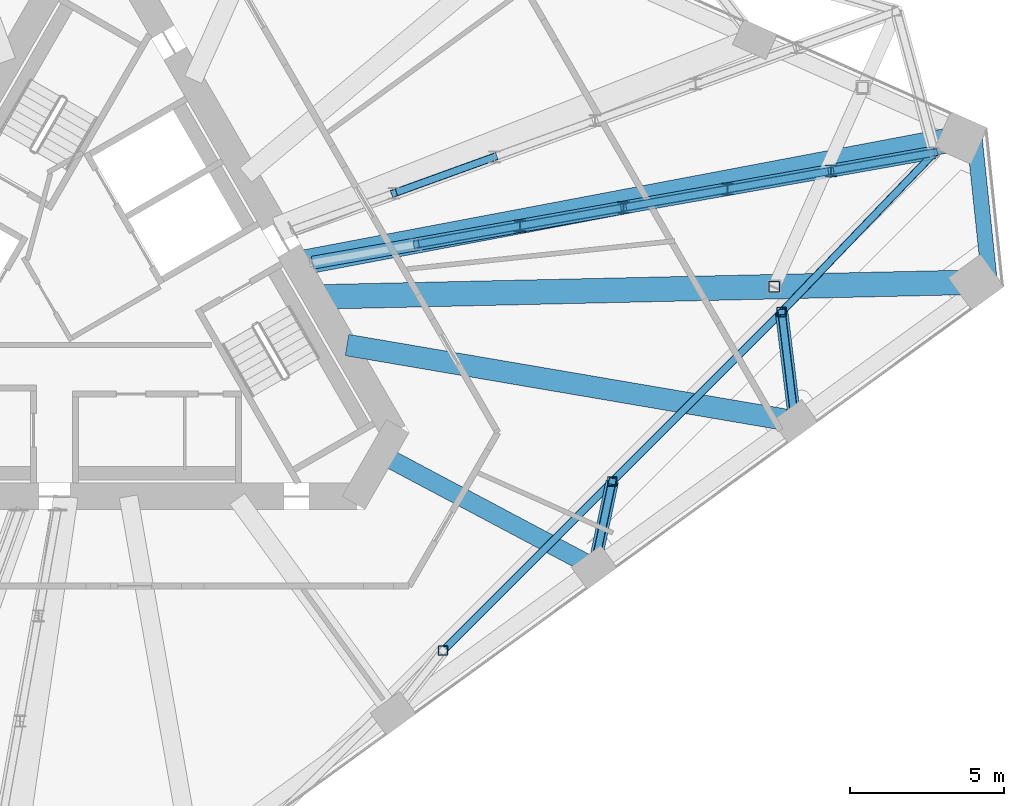
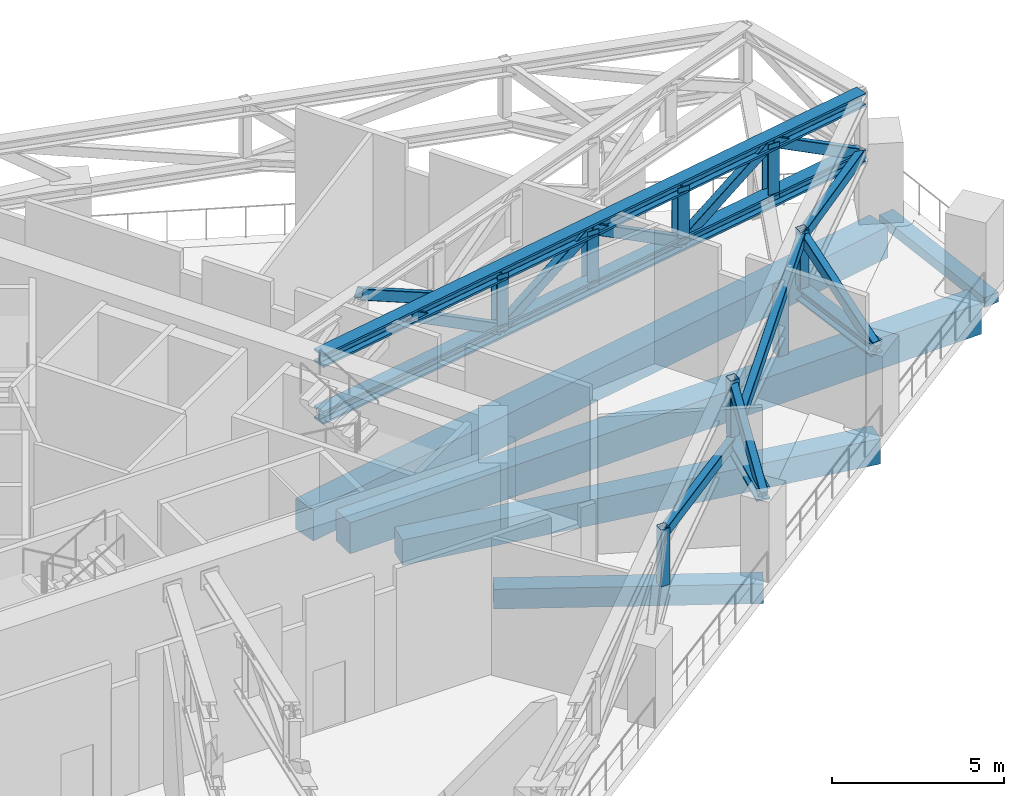
# One storey, part 8 of 26: 23 members, 5 beams.
"""IFC4 building model written with IfcOpenShell, lengths in metres."""

from ifc_helpers import new_model, si_unit, direction, frame, origin, origin_2d, place, context, subcontext, project, spatial, rectangle, hollow_rectangle, i_section, extrude, material, material_profile, profile_set, type_object, element, save


model = new_model("IFC4")

# Units and contexts
model_context = context("Model", 3, precision=1e-05, world=origin(), true_north=direction((0.0, 1.0)))
body_context = subcontext(model_context, "Body", "Model", "MODEL_VIEW")
ifc_project = project(units=[si_unit("LENGTHUNIT", "METRE"), si_unit("AREAUNIT", "SQUARE_METRE"), si_unit("VOLUMEUNIT", "CUBIC_METRE"), si_unit("PLANEANGLEUNIT", "RADIAN"), si_unit("MASSUNIT", "GRAM", prefix="KILO")], contexts=[model_context])

# Site, building, storey
site_placement = place(None, origin())
site = spatial("IfcSite", under=ifc_project, at=site_placement, CompositionType="ELEMENT")
building_placement = place(site_placement, origin())
building = spatial("IfcBuilding", under=site, at=building_placement, Name="Tramontana Tower", CompositionType="ELEMENT")
storey_placement = place(building_placement, frame((0.0, 0.0, 194.800048828125)))
storey = spatial("IfcBuildingStorey", under=building, at=storey_placement, Name="L45", CompositionType="ELEMENT", Elevation=194.800048828125)

# Members
ifc_material_1 = material(Name="Steel ASTM A500 Grade C", Category="steel")
ifc_material_profile_1 = material_profile(ifc_material_1, hollow_rectangle(XDim=0.3046875, YDim=0.3046875, WallThickness=0.01171875, InnerFilletRadius=0.01171875, OuterFilletRadius=0.023681640625, at=origin_2d()), Name="HSS12X12X1/2")
ifc_profile_set_1 = profile_set([ifc_material_profile_1], Name="Steel ASTM A500 Grade C")
member_type_1 = type_object("IfcMemberType", Name="Belt truss HSS12X12X1/2 post", PredefinedType="POST", material=ifc_profile_set_1)
for number, where, z_axis, x_axis, name in (
    (1, (11.34912109375, -11.34912109375, 2.8349609375), (0.0, 0.0, 1.0), (1.0, 0.0, 0.0), "Belt truss post C5F08"),
    (2, (16.8603515625, -5.837646484375, 2.8349609375), (0.0, 0.0, 1.0), (1.0, 0.0, 0.0), "Belt truss post C5F09"),
    (3, (22.371826171875, -0.326416015625, 2.8349609375), (0.0, 0.0, 1.0), (1.0, 0.0, 0.0), "Belt truss post C5F10"),
):
    element("IfcMember", number, at=place(storey_placement, frame(where, z_axis=z_axis, x_axis=x_axis)), inside=storey, type_object=member_type_1, Name=name, PredefinedType="POST", context=body_context, shape_type="SweptSolid", body=[
        extrude(hollow_rectangle(XDim=0.3046875, YDim=0.3046875, WallThickness=0.01171875, InnerFilletRadius=0.01171875, OuterFilletRadius=0.023681640625, at=origin_2d()), origin(), (0.0, 0.0, 1.0), 2.014892578125),
    ])
ifc_material_2 = material(Name="Steel ASTM A500 Grade C", Category="steel")
ifc_material_profile_2 = material_profile(ifc_material_2, hollow_rectangle(XDim=0.25390625, YDim=0.355712890625, WallThickness=0.01171875, InnerFilletRadius=0.01171875, OuterFilletRadius=0.023681640625, at=origin_2d()), Name="HSS14X10X1/2")
ifc_profile_set_2 = profile_set([ifc_material_profile_2], Name="Steel ASTM A500 Grade C")
member_type_2 = type_object("IfcMemberType", Name="Belt truss HSS14X10X1/2 brace", PredefinedType="BRACE", material=ifc_profile_set_2)
for number, where, z_axis, x_axis, name in (
    (4, (11.34912109375, -11.34912109375, 4.632568359375), (0.684581117967, 0.684611444055, -0.250311533078), (-0.70712244264, 0.707091119386, 0.0), "Belt truss diagonal S1.4"),
    (5, (16.8603515625, -5.837646484375, 2.617431640625), (0.684611444055, 0.684581117967, 0.250311533078), (-0.707091119386, 0.70712244264, 0.0), "Belt truss diagonal S1.5"),
):
    element("IfcMember", number, at=place(storey_placement, frame(where, z_axis=z_axis, x_axis=x_axis)), inside=storey, type_object=member_type_2, Name=name, PredefinedType="BRACE", context=body_context, shape_type="SweptSolid", body=[
        extrude(hollow_rectangle(XDim=0.25390625, YDim=0.355712890625, WallThickness=0.01171875, InnerFilletRadius=0.01171875, OuterFilletRadius=0.023681640625, at=origin_2d()), origin(), (0.0, 0.0, 1.0), 8.050537109375),
    ])
member_1_placement = place(storey_placement, frame((22.371826171875, -0.326416015625, 4.632568359375), z_axis=(0.666566337346, 0.69495797283, -0.269671529676), x_axis=(-0.721695064868, 0.692211119056, 0.0)))
element("IfcMember", 6, at=member_1_placement, inside=storey, type_object=member_type_2, Name="Belt truss diagonal S1.6", PredefinedType="BRACE", context=body_context, shape_type="SweptSolid", body=[
    extrude(hollow_rectangle(XDim=0.25390625, YDim=0.355712890625, WallThickness=0.01171875, InnerFilletRadius=0.01171875, OuterFilletRadius=0.023681640625, at=origin_2d()), origin(), (0.0, 0.0, 1.0), 7.47265625),
])

# Beams
ifc_material_3 = material(Name="Concrete 40 MPa", Category="concrete")
ifc_material_profile_3 = material_profile(ifc_material_3, rectangle(XDim=0.5, YDim=0.35009765625, at=origin_2d()), Name="RC EDGE BEAM 500X350 40 MPa")
ifc_profile_set_3 = profile_set([ifc_material_profile_3], Name="Concrete 40 MPa")
beam_type_1 = type_object("IfcBeamType", Name="RC EDGE BEAM 500X350 40 MPa", PredefinedType="SPANDREL", material=ifc_profile_set_3)
beam_1_placement = place(storey_placement, frame((29.162353515625, 0.45263671875, -0.525146484375), z_axis=(-0.104494011766, 0.994525515764, 0.0), x_axis=(-0.994525515764, -0.104494011766, 0.0)))
element("IfcBeam", 7, at=beam_1_placement, inside=storey, type_object=beam_type_1, Name="Spandrel beam K2 L45", PredefinedType="SPANDREL", context=body_context, shape_type="SweptSolid", body=[
    extrude(rectangle(XDim=0.5, YDim=0.35009765625, at=origin_2d()), origin(), (0.0, 0.0, 1.0), 5.1962890625),
])
ifc_material_4 = material(Name="Concrete 40 MPa", Category="concrete")
ifc_material_profile_4 = material_profile(ifc_material_4, rectangle(XDim=0.60009765625, YDim=0.699951171875, at=origin_2d()), Name="RC GIRDER 600X700 40 MPa")
ifc_profile_set_4 = profile_set([ifc_material_profile_4], Name="Concrete 40 MPa")
beam_type_2 = type_object("IfcBeamType", Name="RC GIRDER 600X700 40 MPa", PredefinedType="BEAM", material=ifc_profile_set_4)
beam_2_placement = place(storey_placement, frame((16.26708984375, -8.63818359375, -0.699951171875), z_axis=(-0.883198396805, 0.468999564905, 0.0), x_axis=(-0.468999564905, -0.883198396805, 0.0)))
element("IfcBeam", 8, at=beam_2_placement, inside=storey, type_object=beam_type_2, Name="Radial girder C4F09 L45", PredefinedType="BEAM", context=body_context, shape_type="SweptSolid", body=[
    extrude(rectangle(XDim=0.60009765625, YDim=0.699951171875, at=origin_2d()), origin(), (0.0, 0.0, 1.0), 7.83642578125),
])
ifc_material_5 = material(Name="Concrete 40 MPa", Category="concrete")
ifc_material_profile_5 = material_profile(ifc_material_5, rectangle(XDim=0.699951171875, YDim=0.89990234375, at=origin_2d()), Name="RC GIRDER 700X900 40 MPa")
ifc_profile_set_5 = profile_set([ifc_material_profile_5], Name="Concrete 40 MPa")
beam_type_3 = type_object("IfcBeamType", Name="RC GIRDER 700X900 40 MPa", PredefinedType="BEAM", material=ifc_profile_set_5)
beam_3_placement = place(storey_placement, frame((22.806396484375, -3.88720703125, -0.800048828125), z_axis=(-0.985783673381, 0.168019490821, 0.0), x_axis=(-0.168019490821, -0.985783673381, 0.0)))
element("IfcBeam", 9, at=beam_3_placement, inside=storey, type_object=beam_type_3, Name="Radial girder C4F10 L45", PredefinedType="BEAM", context=body_context, shape_type="SweptSolid", body=[
    extrude(rectangle(XDim=0.699951171875, YDim=0.89990234375, at=origin_2d()), origin(), (0.0, 0.0, 1.0), 14.79052734375),
])
ifc_material_6 = material(Name="Concrete 40 MPa", Category="concrete")
ifc_material_profile_6 = material_profile(ifc_material_6, rectangle(XDim=0.800048828125, YDim=1.10009765625, at=origin_2d()), Name="RC GIRDER 800X1100 40 MPa")
ifc_profile_set_6 = profile_set([ifc_material_profile_6], Name="Concrete 40 MPa")
beam_type_4 = type_object("IfcBeamType", Name="RC GIRDER 800X1100 40 MPa", PredefinedType="BEAM", material=ifc_profile_set_6)
beam_4_placement = place(storey_placement, frame((28.701904296875, 0.6435546875, -0.900146484375), z_axis=(-0.999748807881, -0.022412521973, 0.0), x_axis=(0.022412521973, -0.999748807881, 0.0)))
element("IfcBeam", 10, at=beam_4_placement, inside=storey, type_object=beam_type_4, Name="Radial girder C4K4 L45", PredefinedType="BEAM", context=body_context, shape_type="SweptSolid", body=[
    extrude(rectangle(XDim=0.800048828125, YDim=1.10009765625, at=origin_2d()), origin(), (0.0, 0.0, 1.0), 21.4375),
])
beam_5_placement = place(storey_placement, frame((28.20849609375, 5.337890625, -0.900146484375), z_axis=(-0.982562021037, -0.185935136045, 0.0), x_axis=(0.185935136045, -0.982562021037, 0.0)))
element("IfcBeam", 11, at=beam_5_placement, inside=storey, type_object=beam_type_4, Name="Radial girder C4K5 L45", PredefinedType="BEAM", context=body_context, shape_type="SweptSolid", body=[
    extrude(rectangle(XDim=0.800048828125, YDim=1.10009765625, at=origin_2d()), origin(), (0.0, 0.0, 1.0), 21.98291015625),
])

# Members
ifc_material_7 = material(Name="Steel ASTM A500 Grade C", Category="steel")
ifc_material_profile_7 = material_profile(ifc_material_7, hollow_rectangle(XDim=0.25390625, YDim=0.355712890625, WallThickness=0.01171875, InnerFilletRadius=0.01171875, OuterFilletRadius=0.023681640625, at=origin_2d()), Name="HSS14X10X1/2")
ifc_profile_set_7 = profile_set([ifc_material_profile_7], Name="Steel ASTM A500 Grade C")
member_type_3 = type_object("IfcMemberType", Name="Transfer truss HSS14X10X1/2 brace", PredefinedType="BRACE", material=ifc_profile_set_7)
member_2_placement = place(storey_placement, frame((16.26708984375, -8.63818359375, 2.617431640625), z_axis=(0.169463625317, 0.799965944862, 0.57561842114), x_axis=(-0.978290220726, 0.207239581237, 0.0)))
element("IfcMember", 12, at=member_2_placement, inside=storey, type_object=member_type_3, Name="Transfer truss strut C5F09 diagonal", PredefinedType="BRACE", context=body_context, shape_type="SweptSolid", body=[
    extrude(hollow_rectangle(XDim=0.25390625, YDim=0.355712890625, WallThickness=0.01171875, InnerFilletRadius=0.01171875, OuterFilletRadius=0.023681640625, at=origin_2d()), origin(), (0.0, 0.0, 1.0), 3.500732421875),
])
member_3_placement = place(storey_placement, frame((22.806396484375, -3.88720703125, 2.617431640625), z_axis=(-0.105620008357, 0.865431360607, 0.489768285941), x_axis=(-0.992634902713, -0.121144335059, 0.0)))
element("IfcMember", 13, at=member_3_placement, inside=storey, type_object=member_type_3, Name="Transfer truss strut C5F10 diagonal", PredefinedType="BRACE", context=body_context, shape_type="SweptSolid", body=[
    extrude(hollow_rectangle(XDim=0.25390625, YDim=0.355712890625, WallThickness=0.01171875, InnerFilletRadius=0.01171875, OuterFilletRadius=0.023681640625, at=origin_2d()), origin(), (0.0, 0.0, 1.0), 4.114501953125),
])
for number, where, z_axis, x_axis, name in (
    (14, (10.477783203125, 1.875732421875, 4.632568359375), (0.848819057715, 0.150495913662, -0.50681080023), (-0.174577619379, 0.984643415055, 0.0), "Transfer truss diagonal 3.2"),
    (15, (13.852783203125, 2.47412109375, 2.617431640625), (0.848826899929, 0.15043590168, 0.50681548264), (-0.174508561805, 0.984655656489, 0.0), "Transfer truss diagonal 3.3"),
    (16, (17.227783203125, 3.072265625, 4.632568359375), (0.848826899929, 0.15043590168, -0.50681548264), (-0.174508561805, 0.984655656489, 0.0), "Transfer truss diagonal 3.4"),
    (17, (20.602783203125, 3.67041015625, 2.617431640625), (0.848826899929, 0.15043590168, 0.50681548264), (-0.174508561805, 0.984655656489, 0.0), "Transfer truss diagonal 3.5"),
    (18, (23.977783203125, 4.2685546875, 4.632568359375), (0.848826899929, 0.15043590168, -0.50681548264), (-0.174508561805, 0.984655656489, 0.0), "Transfer truss diagonal 3.6"),
):
    element("IfcMember", number, at=place(storey_placement, frame(where, z_axis=z_axis, x_axis=x_axis)), inside=storey, type_object=member_type_3, Name=name, PredefinedType="BRACE", context=body_context, shape_type="SweptSolid", body=[
        extrude(hollow_rectangle(XDim=0.25390625, YDim=0.355712890625, WallThickness=0.01171875, InnerFilletRadius=0.01171875, OuterFilletRadius=0.023681640625, at=origin_2d()), origin(), (0.0, 0.0, 1.0), 3.97607421875),
    ])
member_4_placement = place(storey_placement, frame((9.75439453125, 3.539306640625, 4.632568359375), z_axis=(0.813789779499, 0.294510927883, -0.501008491086), x_axis=(-0.340301028543, 0.94031654775, 0.0)))
element("IfcMember", 19, at=member_4_placement, inside=storey, type_object=member_type_3, Name="Transfer truss diagonal 4.2", PredefinedType="BRACE", context=body_context, shape_type="SweptSolid", body=[
    extrude(hollow_rectangle(XDim=0.25390625, YDim=0.355712890625, WallThickness=0.01171875, InnerFilletRadius=0.01171875, OuterFilletRadius=0.023681640625, at=origin_2d()), origin(), (0.0, 0.0, 1.0), 4.022216796875),
])
ifc_material_8 = material(Name="Steel ASTM A500 Grade C", Category="steel")
ifc_material_profile_8 = material_profile(ifc_material_8, hollow_rectangle(XDim=0.355712890625, YDim=0.355712890625, WallThickness=0.01171875, InnerFilletRadius=0.01171875, OuterFilletRadius=0.023681640625, at=origin_2d()), Name="HSS14X14X1/2")
ifc_profile_set_8 = profile_set([ifc_material_profile_8], Name="Steel ASTM A500 Grade C")
member_type_4 = type_object("IfcMemberType", Name="Transfer truss HSS14X14X1/2 post", PredefinedType="POST", material=ifc_profile_set_8)
member_5_placement = place(storey_placement, frame((22.1298828125, 0.49609375, 0.0400390625), z_axis=(0.0, 0.0, 1.0), x_axis=(1.0, 0.0, 0.0)))
element("IfcMember", 20, at=member_5_placement, inside=storey, type_object=member_type_4, Name="Transfer truss post C5K5.2", PredefinedType="POST", context=body_context, shape_type="SweptSolid", body=[
    extrude(hollow_rectangle(XDim=0.355712890625, YDim=0.355712890625, WallThickness=0.01171875, InnerFilletRadius=0.01171875, OuterFilletRadius=0.023681640625, at=origin_2d()), origin(), (0.0, 0.0, 1.0), 2.35986328125),
])
ifc_material_9 = material(Name="Steel ASTM A992 Grade 50", Category="steel")
ifc_material_profile_9 = material_profile(ifc_material_9, i_section(OverallWidth=0.374755859375, OverallDepth=0.37158203125, WebThickness=0.015869140625, FlangeThickness=0.025390625, FilletRadius=0.01513671875, at=origin_2d()), Name="W14X132")
ifc_profile_set_9 = profile_set([ifc_material_profile_9], Name="Steel ASTM A992 Grade 50")
member_type_5 = type_object("IfcMemberType", Name="Transfer truss W14X132 post", PredefinedType="POST", material=ifc_profile_set_9)
for number, where, z_axis, x_axis, name in (
    (21, (13.852783203125, 2.47412109375, 2.617431640625), (0.0, 0.0, 1.0), (1.0, 0.0, 0.0), "Transfer truss post 3.2"),
    (22, (17.227783203125, 3.072265625, 2.617431640625), (0.0, 0.0, 1.0), (1.0, 0.0, 0.0), "Transfer truss post 3.3"),
    (23, (20.602783203125, 3.67041015625, 2.617431640625), (0.0, 0.0, 1.0), (1.0, 0.0, 0.0), "Transfer truss post 3.4"),
    (24, (23.977783203125, 4.2685546875, 2.617431640625), (0.0, 0.0, 1.0), (1.0, 0.0, 0.0), "Transfer truss post 3.5"),
):
    element("IfcMember", number, at=place(storey_placement, frame(where, z_axis=z_axis, x_axis=x_axis)), inside=storey, type_object=member_type_5, Name=name, PredefinedType="POST", context=body_context, shape_type="SweptSolid", body=[
        extrude(i_section(OverallWidth=0.374755859375, OverallDepth=0.37158203125, WebThickness=0.015869140625, FlangeThickness=0.025390625, FilletRadius=0.01513671875, at=origin_2d()), origin(), (0.0, 0.0, 1.0), 2.01513671875),
    ])
ifc_material_10 = material(Name="Steel ASTM A992 Grade 50", Category="steel")
ifc_material_profile_10 = material_profile(ifc_material_10, i_section(OverallWidth=0.412841796875, OverallDepth=0.43505859375, WebThickness=0.03662109375, FlangeThickness=0.05712890625, FilletRadius=0.01513671875, at=origin_2d()), Name="W14X311")
ifc_profile_set_10 = profile_set([ifc_material_profile_10], Name="Steel ASTM A992 Grade 50")
member_type_6 = type_object("IfcMemberType", Name="Transfer truss W14X311 strut", PredefinedType="STRUT", material=ifc_profile_set_10)
member_6_placement = place(storey_placement, frame((16.26708984375, -8.63818359375, 2.617431640625), z_axis=(0.207239581237, 0.978290220726, 0.0), x_axis=(-0.978290220726, 0.207239581237, 0.0)))
element("IfcMember", 25, at=member_6_placement, inside=storey, type_object=member_type_6, Name="Transfer truss strut C5F09 bottom", PredefinedType="STRUT", context=body_context, shape_type="SweptSolid", body=[
    extrude(i_section(OverallWidth=0.412841796875, OverallDepth=0.43505859375, WebThickness=0.03662109375, FlangeThickness=0.05712890625, FilletRadius=0.01513671875, at=origin_2d()), origin(), (0.0, 0.0, 1.0), 2.86279296875),
])
member_7_placement = place(storey_placement, frame((22.806396484375, -3.88720703125, 2.617431640625), z_axis=(-0.121144335059, 0.992634902713, 0.0), x_axis=(-0.992634902713, -0.121144335059, 0.0)))
element("IfcMember", 26, at=member_7_placement, inside=storey, type_object=member_type_6, Name="Transfer truss strut C5F10 bottom", PredefinedType="STRUT", context=body_context, shape_type="SweptSolid", body=[
    extrude(i_section(OverallWidth=0.412841796875, OverallDepth=0.43505859375, WebThickness=0.03662109375, FlangeThickness=0.05712890625, FilletRadius=0.01513671875, at=origin_2d()), origin(), (0.0, 0.0, 1.0), 3.587158203125),
])
ifc_material_11 = material(Name="Steel ASTM A992 Grade 50", Category="steel")
ifc_material_profile_11 = material_profile(ifc_material_11, i_section(OverallWidth=0.42236328125, OverallDepth=0.463623046875, WebThickness=0.04443359375, FlangeThickness=0.072998046875, FilletRadius=0.014892578125, at=origin_2d()), Name="W14X398")
ifc_profile_set_11 = profile_set([ifc_material_profile_11], Name="Steel ASTM A992 Grade 50")
member_type_7 = type_object("IfcMemberType", Name="Transfer truss W14X398 chord", PredefinedType="CHORD", material=ifc_profile_set_11)
for number, where, z_axis, x_axis, name in (
    (27, (7.102783203125, 1.277587890625, 2.617431640625), (0.984653616566, 0.17452007158, 0.0), (-0.17452007158, 0.984653616566, 0.0), "Transfer truss bottom chord 3"),
    (28, (7.102783203125, 1.277587890625, 4.632568359375), (0.984653616566, 0.17452007158, 0.0), (-0.17452007158, 0.984653616566, 0.0), "Transfer truss top chord 3"),
):
    element("IfcMember", number, at=place(storey_placement, frame(where, z_axis=z_axis, x_axis=x_axis)), inside=storey, type_object=member_type_7, Name=name, PredefinedType="CHORD", context=body_context, shape_type="SweptSolid", body=[
        extrude(i_section(OverallWidth=0.42236328125, OverallDepth=0.463623046875, WebThickness=0.04443359375, FlangeThickness=0.072998046875, FilletRadius=0.014892578125, at=origin_2d()), origin(), (0.0, 0.0, 1.0), 20.565673828125),
    ])

save(model, "model.ifc")
